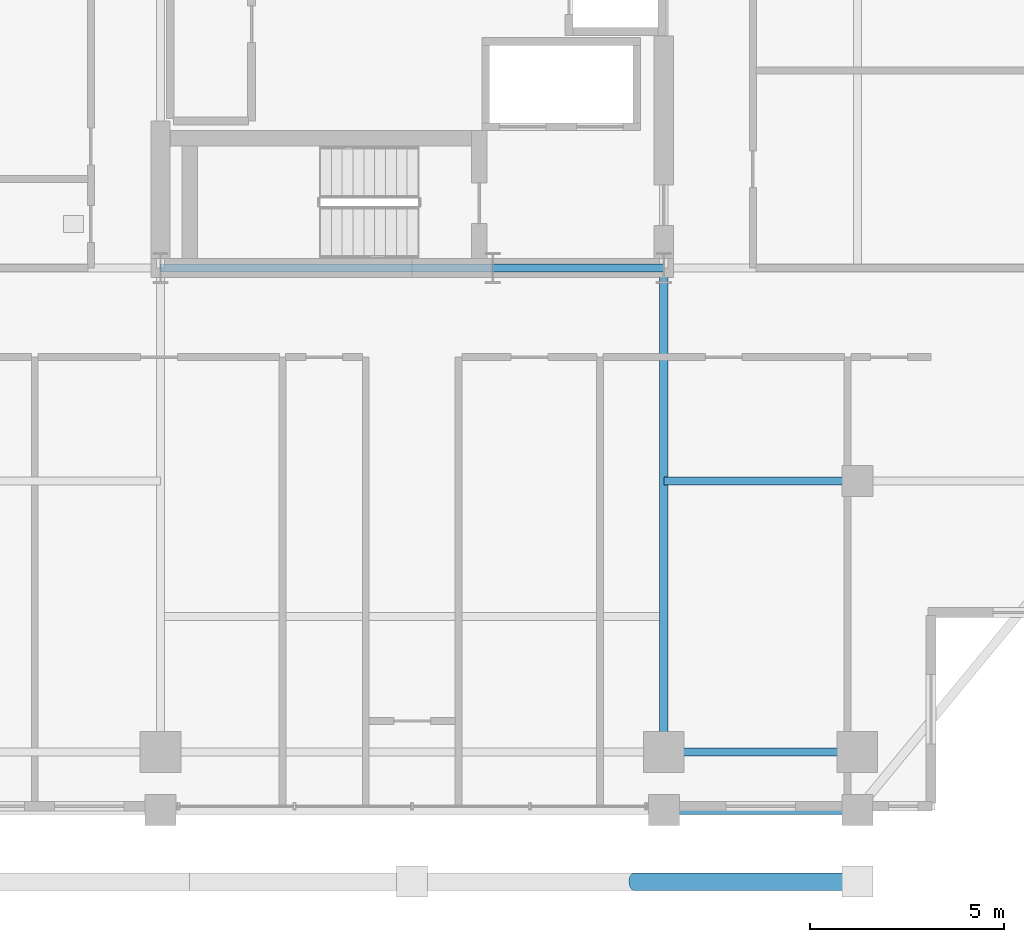
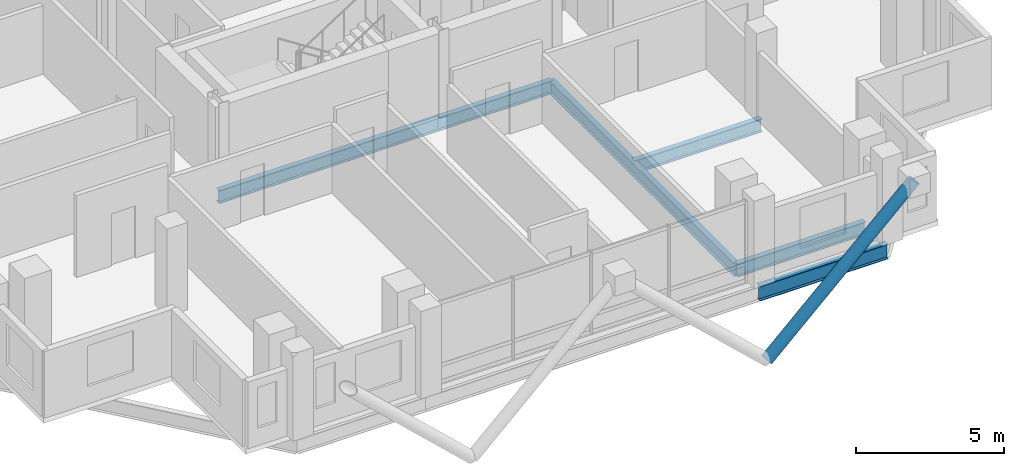
# One storey, part 5 of 23: 6 beams, 1 member.
"""IFC4 building model written with IfcOpenShell, lengths in metres."""

from ifc_helpers import new_model, si_unit, direction, frame, origin, origin_2d, place, context, subcontext, project, spatial, hollow_circle, i_section, extrude, material, material_profile, profile_set, type_object, element, save


model = new_model("IFC4")

# Units and contexts
model_context = context("Model", 3, precision=1e-05, world=origin(), true_north=direction((0.0, 1.0)))
body_context = subcontext(model_context, "Body", "Model", "MODEL_VIEW")
ifc_project = project(units=[si_unit("LENGTHUNIT", "METRE"), si_unit("AREAUNIT", "SQUARE_METRE"), si_unit("VOLUMEUNIT", "CUBIC_METRE"), si_unit("PLANEANGLEUNIT", "RADIAN"), si_unit("MASSUNIT", "GRAM", prefix="KILO")], contexts=[model_context])

# Site, building, storey
site_placement = place(None, origin())
site = spatial("IfcSite", under=ifc_project, at=site_placement, CompositionType="ELEMENT")
building_placement = place(site_placement, origin())
building = spatial("IfcBuilding", under=site, at=building_placement, Name="Barlavira Tower and Art Museum", CompositionType="ELEMENT")
storey_placement = place(building_placement, frame((0.0, 0.0, 205.199951171875)))
storey = spatial("IfcBuildingStorey", under=building, at=storey_placement, Name="L53", CompositionType="ELEMENT", Elevation=205.199951171875)

# Member
ifc_material = material(Name="Steel S355", Category="steel")
ifc_material_profile_1 = material_profile(ifc_material, hollow_circle(Radius=0.228515625, WallThickness=0.02001953125, at=origin_2d()), Name="CHS 457.0x20.0")
ifc_profile_set_1 = profile_set([ifc_material_profile_1], Name="Steel S355")
member_type = type_object("IfcMemberType", Name="Pale-Metal Exoskeleton Diagrid Tube CHS 457x20 Steel S355", PredefinedType="BRACE", material=ifc_profile_set_1)
member_placement = place(storey_placement, frame((5.75, -23.35009765625, -1.919921875), z_axis=(0.728950095515, 0.0, 0.684566839869), x_axis=(0.0, 1.0, 0.0)))
element("IfcMember", 1, at=member_placement, inside=storey, type_object=member_type, Name="L53 Exoskeleton Diagrid Tube S", PredefinedType="BRACE", context=body_context, shape_type="SweptSolid", body=[
    extrude(hollow_circle(Radius=0.228515625, WallThickness=0.02001953125, at=origin_2d()), origin(), (0.0, 0.0, 1.0), 7.887939453125),
])

# Beams
ifc_material_profile_2 = material_profile(ifc_material, i_section(OverallWidth=0.22998046875, OverallDepth=0.616943359375, WebThickness=0.01318359375, FlangeThickness=0.022216796875, at=origin_2d()), Name="W610x140.0")
ifc_profile_set_2 = profile_set([ifc_material_profile_2], Name="Steel S355")
beam_type_1 = type_object("IfcBeamType", Name="Upper Shaft Spandrel Edge Beam W610x140 Steel S355", PredefinedType="SPANDREL", material=ifc_profile_set_2)
beam_1_placement = place(storey_placement, frame((6.5, -21.5, -0.528564453125), z_axis=(1.0, 0.0, 0.0), x_axis=(0.0, 1.0, 0.0)))
element("IfcBeam", 2, at=beam_1_placement, inside=storey, type_object=beam_type_1, Name="L53 Spandrel 3", PredefinedType="SPANDREL", context=body_context, shape_type="SweptSolid", body=[
    extrude(i_section(OverallWidth=0.22998046875, OverallDepth=0.616943359375, WebThickness=0.01318359375, FlangeThickness=0.022216796875, at=origin_2d()), origin(), (0.0, 0.0, 1.0), 5.0),
])
ifc_material_profile_3 = material_profile(ifc_material, i_section(OverallWidth=0.2109375, OverallDepth=0.5390625, WebThickness=0.01171875, FlangeThickness=0.018798828125, at=origin_2d()), Name="W530x109.0")
ifc_profile_set_3 = profile_set([ifc_material_profile_3], Name="Steel S355")
beam_type_2 = type_object("IfcBeamType", Name="Zone 3-4 Primary Floor Girder W530x109 Steel S355", PredefinedType="BEAM", material=ifc_profile_set_3)
beam_2_placement = place(storey_placement, frame((-6.5, -7.5, -0.489501953125), z_axis=(1.0, 0.0, 0.0), x_axis=(0.0, 1.0, 0.0)))
element("IfcBeam", 3, at=beam_2_placement, inside=storey, type_object=beam_type_2, Name="L53 Girder C-S1", PredefinedType="BEAM", context=body_context, shape_type="SweptSolid", body=[
    extrude(i_section(OverallWidth=0.2109375, OverallDepth=0.5390625, WebThickness=0.01171875, FlangeThickness=0.018798828125, at=origin_2d()), origin(), (0.0, 0.0, 1.0), 8.580078125),
])
beam_3_placement = place(storey_placement, frame((2.080078125, -7.5, -0.489501953125), z_axis=(1.0, 0.0, 0.0), x_axis=(0.0, 1.0, 0.0)))
element("IfcBeam", 4, at=beam_3_placement, inside=storey, type_object=beam_type_2, Name="L53 Girder C-S2", PredefinedType="BEAM", context=body_context, shape_type="SweptSolid", body=[
    extrude(i_section(OverallWidth=0.2109375, OverallDepth=0.5390625, WebThickness=0.01171875, FlangeThickness=0.018798828125, at=origin_2d()), origin(), (0.0, 0.0, 1.0), 4.419921875),
])
beam_4_placement = place(storey_placement, frame((6.5, -20.0, -0.489501953125), z_axis=(1.0, 0.0, 0.0), x_axis=(0.0, 1.0, 0.0)))
element("IfcBeam", 5, at=beam_4_placement, inside=storey, type_object=beam_type_2, Name="L53 Girder M-S3", PredefinedType="BEAM", context=body_context, shape_type="SweptSolid", body=[
    extrude(i_section(OverallWidth=0.2109375, OverallDepth=0.5390625, WebThickness=0.01171875, FlangeThickness=0.018798828125, at=origin_2d()), origin(), (0.0, 0.0, 1.0), 5.0),
])
beam_5_placement = place(storey_placement, frame((6.5, -20.0, -0.489501953125), z_axis=(0.0, 1.0, 0.0), x_axis=(-1.0, 0.0, 0.0)))
element("IfcBeam", 6, at=beam_5_placement, inside=storey, type_object=beam_type_2, Name="L53 Girder R-S2", PredefinedType="BEAM", context=body_context, shape_type="SweptSolid", body=[
    extrude(i_section(OverallWidth=0.2109375, OverallDepth=0.5390625, WebThickness=0.01171875, FlangeThickness=0.018798828125, at=origin_2d()), origin(), (0.0, 0.0, 1.0), 12.5),
])
beam_6_placement = place(storey_placement, frame((6.5, -13.0, -0.489501953125), z_axis=(1.0, 0.0, 0.0), x_axis=(0.0, 1.0, 0.0)))
element("IfcBeam", 7, at=beam_6_placement, inside=storey, type_object=beam_type_2, Name="L53 Girder I-S3", PredefinedType="BEAM", context=body_context, shape_type="SweptSolid", body=[
    extrude(i_section(OverallWidth=0.2109375, OverallDepth=0.5390625, WebThickness=0.01171875, FlangeThickness=0.018798828125, at=origin_2d()), origin(), (0.0, 0.0, 1.0), 5.0),
])

save(model, "model.ifc")
